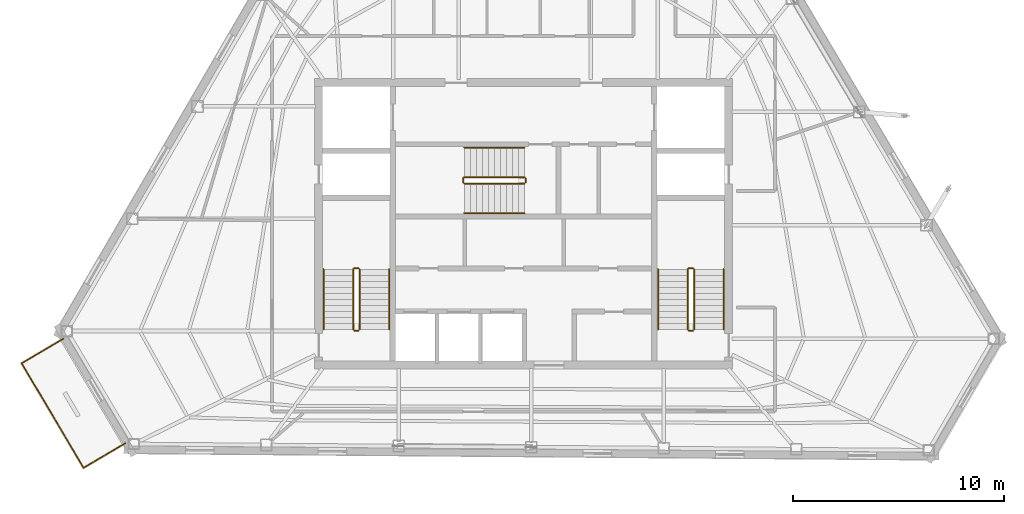
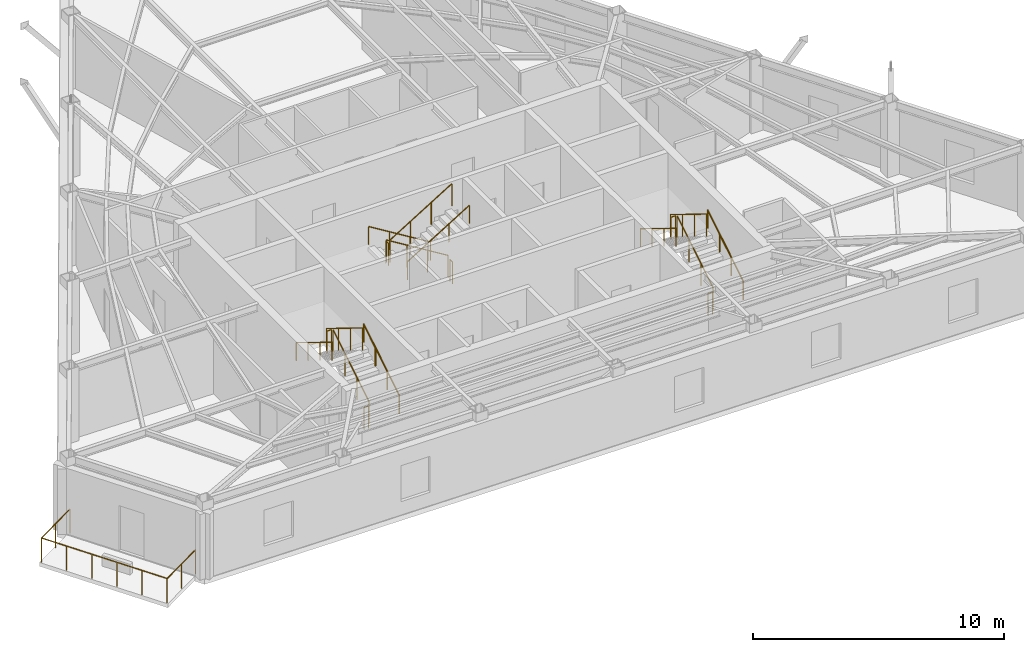
# One storey, part 10 of 10: 21 railings.
"""IFC4 building model written with IfcOpenShell, lengths in metres."""

from ifc_helpers import new_model, si_unit, direction, frame, origin, origin_2d, place, context, subcontext, project, spatial, circle, extrude, material, type_object, element, save


model = new_model("IFC4")

# Units and contexts
model_context = context("Model", 3, precision=1e-05, world=origin(), true_north=direction((0.0, 1.0)))
body_context = subcontext(model_context, "Body", "Model", "MODEL_VIEW")
ifc_project = project(units=[si_unit("LENGTHUNIT", "METRE"), si_unit("AREAUNIT", "SQUARE_METRE"), si_unit("VOLUMEUNIT", "CUBIC_METRE"), si_unit("PLANEANGLEUNIT", "RADIAN"), si_unit("MASSUNIT", "GRAM", prefix="KILO")], contexts=[model_context])

# Site, building, storey
site_placement = place(None, origin())
site = spatial("IfcSite", under=ifc_project, at=site_placement, CompositionType="ELEMENT")
building_placement = place(site_placement, origin())
building = spatial("IfcBuilding", under=site, at=building_placement, Name="Kavelnor Concourse Tower", CompositionType="ELEMENT")
storey_placement = place(building_placement, frame((0.0, 0.0, 266.449951171875)))
storey = spatial("IfcBuildingStorey", under=building, at=storey_placement, Name="L67", CompositionType="ELEMENT", Elevation=266.449951171875)

# Railings
ifc_material_1 = material(Name="Steel Grade 350", Category="steel")
railing_type_1 = type_object("IfcRailingType", Name="RLG-GUARD-1100", PredefinedType="GUARDRAIL", material=ifc_material_1)
railing_1_placement = place(storey_placement, frame((30.22998046875, 11.10009765625, 0.175048828125)))
element("IfcRailing", 1, at=railing_1_placement, inside=storey, type_object=railing_type_1, Name="L67 ST1 stair guard 1", PredefinedType="GUARDRAIL", context=body_context, shape_type="SweptSolid", body=[
    extrude(circle(Radius=0.02392578125, at=origin_2d()), frame((0.0, 0.0, 1.076171875), z_axis=(0.0, 0.852159232446, 0.523282564737), x_axis=(-1.0, 0.0, 0.0)), (0.0, 0.0, 1.0), 3.34423828125),
    extrude(circle(Radius=0.02099609375, at=origin_2d()), origin(), (0.0, 0.0, 1.0), 1.052001953125),
    extrude(circle(Radius=0.02099609375, at=origin_2d()), frame((0.0, 0.949951171875, 0.583251953125)), (0.0, 0.0, 1.0), 1.052001953125),
    extrude(circle(Radius=0.02099609375, at=origin_2d()), frame((0.0, 1.89990234375, 1.166748046875)), (0.0, 0.0, 1.0), 1.052001953125),
    extrude(circle(Radius=0.02099609375, at=origin_2d()), frame((0.0, 2.849853515625, 1.75)), (0.0, 0.0, 1.0), 1.052001953125),
])
railing_2_placement = place(storey_placement, frame((30.179931640625, 14.0, 1.925048828125)))
element("IfcRailing", 2, at=railing_2_placement, inside=storey, type_object=railing_type_1, Name="L67 ST1 stair guard 2", PredefinedType="GUARDRAIL", context=body_context, shape_type="SweptSolid", body=[
    extrude(circle(Radius=0.02392578125, at=origin_2d()), frame((0.0, 0.0, 1.076171875), z_axis=(-1.0, 0.0, 0.0), x_axis=(0.0, -1.0, 0.0)), (0.0, 0.0, 1.0), 0.199951171875),
    extrude(circle(Radius=0.02099609375, at=origin_2d()), origin(), (0.0, 0.0, 1.0), 1.052001953125),
    extrude(circle(Radius=0.02099609375, at=origin_2d()), frame((-0.199951171875, 0.0, 0.0)), (0.0, 0.0, 1.0), 1.052001953125),
])
railing_3_placement = place(storey_placement, frame((29.929931640625, 13.949951171875, 2.10009765625)))
element("IfcRailing", 3, at=railing_3_placement, inside=storey, type_object=railing_type_1, Name="L67 ST1 stair guard 3", PredefinedType="GUARDRAIL", context=body_context, shape_type="SweptSolid", body=[
    extrude(circle(Radius=0.02392578125, at=origin_2d()), frame((0.0, 0.0, 1.076171875), z_axis=(0.0, -0.852159232446, 0.523282564737), x_axis=(1.0, 0.0, 0.0)), (0.0, 0.0, 1.0), 3.34423828125),
    extrude(circle(Radius=0.02099609375, at=origin_2d()), origin(), (0.0, 0.0, 1.0), 1.052001953125),
    extrude(circle(Radius=0.02099609375, at=origin_2d()), frame((0.0, -0.949951171875, 0.583251953125)), (0.0, 0.0, 1.0), 1.052001953125),
    extrude(circle(Radius=0.02099609375, at=origin_2d()), frame((0.0, -1.89990234375, 1.166748046875)), (0.0, 0.0, 1.0), 1.052001953125),
    extrude(circle(Radius=0.02099609375, at=origin_2d()), frame((0.0, -2.849853515625, 1.75)), (0.0, 0.0, 1.0), 1.052001953125),
])
railing_4_placement = place(storey_placement, frame((30.179931640625, 11.050048828125, 0.0)))
element("IfcRailing", 4, at=railing_4_placement, inside=storey, type_object=railing_type_1, Name="L67 ST1 stair guard 4", PredefinedType="GUARDRAIL", context=body_context, shape_type="SweptSolid", body=[
    extrude(circle(Radius=0.02392578125, at=origin_2d()), frame((0.0, 0.0, 1.076171875), z_axis=(-1.0, 0.0, 0.0), x_axis=(0.0, -1.0, 0.0)), (0.0, 0.0, 1.0), 0.199951171875),
    extrude(circle(Radius=0.02099609375, at=origin_2d()), origin(), (0.0, 0.0, 1.0), 1.052001953125),
    extrude(circle(Radius=0.02099609375, at=origin_2d()), frame((-0.199951171875, 0.0, 0.0)), (0.0, 0.0, 1.0), 1.052001953125),
])
railing_5_placement = place(storey_placement, frame((46.070068359375, 11.10009765625, 0.175048828125)))
element("IfcRailing", 5, at=railing_5_placement, inside=storey, type_object=railing_type_1, Name="L67 ST2 stair guard 1", PredefinedType="GUARDRAIL", context=body_context, shape_type="SweptSolid", body=[
    extrude(circle(Radius=0.02392578125, at=origin_2d()), frame((0.0, 0.0, 1.076171875), z_axis=(0.0, 0.852159232446, 0.523282564737), x_axis=(-1.0, 0.0, 0.0)), (0.0, 0.0, 1.0), 3.34423828125),
    extrude(circle(Radius=0.02099609375, at=origin_2d()), origin(), (0.0, 0.0, 1.0), 1.052001953125),
    extrude(circle(Radius=0.02099609375, at=origin_2d()), frame((0.0, 0.949951171875, 0.583251953125)), (0.0, 0.0, 1.0), 1.052001953125),
    extrude(circle(Radius=0.02099609375, at=origin_2d()), frame((0.0, 1.89990234375, 1.166748046875)), (0.0, 0.0, 1.0), 1.052001953125),
    extrude(circle(Radius=0.02099609375, at=origin_2d()), frame((0.0, 2.849853515625, 1.75)), (0.0, 0.0, 1.0), 1.052001953125),
])
railing_6_placement = place(storey_placement, frame((46.02001953125, 14.0, 1.925048828125)))
element("IfcRailing", 6, at=railing_6_placement, inside=storey, type_object=railing_type_1, Name="L67 ST2 stair guard 2", PredefinedType="GUARDRAIL", context=body_context, shape_type="SweptSolid", body=[
    extrude(circle(Radius=0.02392578125, at=origin_2d()), frame((0.0, 0.0, 1.076171875), z_axis=(-1.0, 0.0, 0.0), x_axis=(0.0, -1.0, 0.0)), (0.0, 0.0, 1.0), 0.199951171875),
    extrude(circle(Radius=0.02099609375, at=origin_2d()), origin(), (0.0, 0.0, 1.0), 1.052001953125),
    extrude(circle(Radius=0.02099609375, at=origin_2d()), frame((-0.199951171875, 0.0, 0.0)), (0.0, 0.0, 1.0), 1.052001953125),
])
railing_7_placement = place(storey_placement, frame((45.77001953125, 13.949951171875, 2.10009765625)))
element("IfcRailing", 7, at=railing_7_placement, inside=storey, type_object=railing_type_1, Name="L67 ST2 stair guard 3", PredefinedType="GUARDRAIL", context=body_context, shape_type="SweptSolid", body=[
    extrude(circle(Radius=0.02392578125, at=origin_2d()), frame((0.0, 0.0, 1.076171875), z_axis=(0.0, -0.852159232446, 0.523282564737), x_axis=(1.0, 0.0, 0.0)), (0.0, 0.0, 1.0), 3.34423828125),
    extrude(circle(Radius=0.02099609375, at=origin_2d()), origin(), (0.0, 0.0, 1.0), 1.052001953125),
    extrude(circle(Radius=0.02099609375, at=origin_2d()), frame((0.0, -0.949951171875, 0.583251953125)), (0.0, 0.0, 1.0), 1.052001953125),
    extrude(circle(Radius=0.02099609375, at=origin_2d()), frame((0.0, -1.89990234375, 1.166748046875)), (0.0, 0.0, 1.0), 1.052001953125),
    extrude(circle(Radius=0.02099609375, at=origin_2d()), frame((0.0, -2.849853515625, 1.75)), (0.0, 0.0, 1.0), 1.052001953125),
])
railing_8_placement = place(storey_placement, frame((46.02001953125, 11.050048828125, 0.0)))
element("IfcRailing", 8, at=railing_8_placement, inside=storey, type_object=railing_type_1, Name="L67 ST2 stair guard 4", PredefinedType="GUARDRAIL", context=body_context, shape_type="SweptSolid", body=[
    extrude(circle(Radius=0.02392578125, at=origin_2d()), frame((0.0, 0.0, 1.076171875), z_axis=(-1.0, 0.0, 0.0), x_axis=(0.0, -1.0, 0.0)), (0.0, 0.0, 1.0), 0.199951171875),
    extrude(circle(Radius=0.02099609375, at=origin_2d()), origin(), (0.0, 0.0, 1.0), 1.052001953125),
    extrude(circle(Radius=0.02099609375, at=origin_2d()), frame((-0.199951171875, 0.0, 0.0)), (0.0, 0.0, 1.0), 1.052001953125),
])
railing_9_placement = place(storey_placement, frame((38.0400390625, 18.31005859375, 0.175048828125)))
element("IfcRailing", 9, at=railing_9_placement, inside=storey, type_object=railing_type_1, Name="L67 ST3 stair guard 1", PredefinedType="GUARDRAIL", context=body_context, shape_type="SweptSolid", body=[
    extrude(circle(Radius=0.02392578125, at=origin_2d()), frame((0.0, 0.0, 1.076171875), z_axis=(-0.852179220489, 0.0, 0.52325001306), x_axis=(0.0, -1.0, 0.0)), (0.0, 0.0, 1.0), 3.344482421875),
    extrude(circle(Radius=0.02099609375, at=origin_2d()), origin(), (0.0, 0.0, 1.0), 1.052001953125),
    extrude(circle(Radius=0.02099609375, at=origin_2d()), frame((-0.949951171875, 0.0, 0.583251953125)), (0.0, 0.0, 1.0), 1.052001953125),
    extrude(circle(Radius=0.02099609375, at=origin_2d()), frame((-1.900146484375, 0.0, 1.166748046875)), (0.0, 0.0, 1.0), 1.052001953125),
    extrude(circle(Radius=0.02099609375, at=origin_2d()), frame((-2.85009765625, 0.0, 1.75)), (0.0, 0.0, 1.0), 1.052001953125),
])
railing_10_placement = place(storey_placement, frame((35.139892578125, 18.260009765625, 1.925048828125)))
element("IfcRailing", 10, at=railing_10_placement, inside=storey, type_object=railing_type_1, Name="L67 ST3 stair guard 2", PredefinedType="GUARDRAIL", context=body_context, shape_type="SweptSolid", body=[
    extrude(circle(Radius=0.02392578125, at=origin_2d()), frame((0.0, 0.0, 1.076171875), z_axis=(0.0, -1.0, 0.0), x_axis=(1.0, 0.0, 0.0)), (0.0, 0.0, 1.0), 0.199951171875),
    extrude(circle(Radius=0.02099609375, at=origin_2d()), origin(), (0.0, 0.0, 1.0), 1.052001953125),
    extrude(circle(Radius=0.02099609375, at=origin_2d()), frame((0.0, -0.199951171875, 0.0)), (0.0, 0.0, 1.0), 1.052001953125),
])
railing_11_placement = place(storey_placement, frame((35.18994140625, 18.010009765625, 2.10009765625)))
element("IfcRailing", 11, at=railing_11_placement, inside=storey, type_object=railing_type_1, Name="L67 ST3 stair guard 3", PredefinedType="GUARDRAIL", context=body_context, shape_type="SweptSolid", body=[
    extrude(circle(Radius=0.02392578125, at=origin_2d()), frame((0.0, 0.0, 1.076171875), z_axis=(0.852179220489, 0.0, 0.52325001306), x_axis=(0.0, 1.0, 0.0)), (0.0, 0.0, 1.0), 3.344482421875),
    extrude(circle(Radius=0.02099609375, at=origin_2d()), origin(), (0.0, 0.0, 1.0), 1.052001953125),
    extrude(circle(Radius=0.02099609375, at=origin_2d()), frame((0.949951171875, 0.0, 0.583251953125)), (0.0, 0.0, 1.0), 1.052001953125),
    extrude(circle(Radius=0.02099609375, at=origin_2d()), frame((1.900146484375, 0.0, 1.166748046875)), (0.0, 0.0, 1.0), 1.052001953125),
    extrude(circle(Radius=0.02099609375, at=origin_2d()), frame((2.85009765625, 0.0, 1.75)), (0.0, 0.0, 1.0), 1.052001953125),
])
railing_12_placement = place(storey_placement, frame((38.090087890625, 18.260009765625, 0.0)))
element("IfcRailing", 12, at=railing_12_placement, inside=storey, type_object=railing_type_1, Name="L67 ST3 stair guard 4", PredefinedType="GUARDRAIL", context=body_context, shape_type="SweptSolid", body=[
    extrude(circle(Radius=0.02392578125, at=origin_2d()), frame((0.0, 0.0, 1.076171875), z_axis=(0.0, -1.0, 0.0), x_axis=(1.0, 0.0, 0.0)), (0.0, 0.0, 1.0), 0.199951171875),
    extrude(circle(Radius=0.02099609375, at=origin_2d()), origin(), (0.0, 0.0, 1.0), 1.052001953125),
    extrude(circle(Radius=0.02099609375, at=origin_2d()), frame((0.0, -0.199951171875, 0.0)), (0.0, 0.0, 1.0), 1.052001953125),
])
railing_type_2 = type_object("IfcRailingType", Name="RLG-HANDRAIL-900", PredefinedType="HANDRAIL", material=ifc_material_1)
railing_13_placement = place(storey_placement, frame((31.6298828125, 11.10009765625, 0.175048828125)))
element("IfcRailing", 13, at=railing_13_placement, inside=storey, type_object=railing_type_2, Name="L67 ST1 stair handrail 1", PredefinedType="HANDRAIL", context=body_context, shape_type="SweptSolid", body=[
    extrude(circle(Radius=0.02392578125, at=origin_2d()), frame((0.0, 0.0, 0.8759765625), z_axis=(0.0, 0.852159232446, 0.523282564737), x_axis=(-1.0, 0.0, 0.0)), (0.0, 0.0, 1.0), 3.34423828125),
    extrude(circle(Radius=0.02099609375, at=origin_2d()), origin(), (0.0, 0.0, 1.0), 0.851806640625),
    extrude(circle(Radius=0.02099609375, at=origin_2d()), frame((0.0, 0.949951171875, 0.583251953125)), (0.0, 0.0, 1.0), 0.851806640625),
    extrude(circle(Radius=0.02099609375, at=origin_2d()), frame((0.0, 1.89990234375, 1.166748046875)), (0.0, 0.0, 1.0), 0.851806640625),
    extrude(circle(Radius=0.02099609375, at=origin_2d()), frame((0.0, 2.849853515625, 1.75)), (0.0, 0.0, 1.0), 0.851806640625),
])
railing_14_placement = place(storey_placement, frame((28.530029296875, 13.949951171875, 2.10009765625)))
element("IfcRailing", 14, at=railing_14_placement, inside=storey, type_object=railing_type_2, Name="L67 ST1 stair handrail 2", PredefinedType="HANDRAIL", context=body_context, shape_type="SweptSolid", body=[
    extrude(circle(Radius=0.02392578125, at=origin_2d()), frame((0.0, 0.0, 0.8759765625), z_axis=(0.0, -0.852159232446, 0.523282564737), x_axis=(1.0, 0.0, 0.0)), (0.0, 0.0, 1.0), 3.34423828125),
    extrude(circle(Radius=0.02099609375, at=origin_2d()), origin(), (0.0, 0.0, 1.0), 0.851806640625),
    extrude(circle(Radius=0.02099609375, at=origin_2d()), frame((0.0, -0.949951171875, 0.583251953125)), (0.0, 0.0, 1.0), 0.851806640625),
    extrude(circle(Radius=0.02099609375, at=origin_2d()), frame((0.0, -1.89990234375, 1.166748046875)), (0.0, 0.0, 1.0), 0.851806640625),
    extrude(circle(Radius=0.02099609375, at=origin_2d()), frame((0.0, -2.849853515625, 1.75)), (0.0, 0.0, 1.0), 0.851806640625),
])
railing_15_placement = place(storey_placement, frame((47.469970703125, 11.10009765625, 0.175048828125)))
element("IfcRailing", 15, at=railing_15_placement, inside=storey, type_object=railing_type_2, Name="L67 ST2 stair handrail 1", PredefinedType="HANDRAIL", context=body_context, shape_type="SweptSolid", body=[
    extrude(circle(Radius=0.02392578125, at=origin_2d()), frame((0.0, 0.0, 0.8759765625), z_axis=(0.0, 0.852159232446, 0.523282564737), x_axis=(-1.0, 0.0, 0.0)), (0.0, 0.0, 1.0), 3.34423828125),
    extrude(circle(Radius=0.02099609375, at=origin_2d()), origin(), (0.0, 0.0, 1.0), 0.851806640625),
    extrude(circle(Radius=0.02099609375, at=origin_2d()), frame((0.0, 0.949951171875, 0.583251953125)), (0.0, 0.0, 1.0), 0.851806640625),
    extrude(circle(Radius=0.02099609375, at=origin_2d()), frame((0.0, 1.89990234375, 1.166748046875)), (0.0, 0.0, 1.0), 0.851806640625),
    extrude(circle(Radius=0.02099609375, at=origin_2d()), frame((0.0, 2.849853515625, 1.75)), (0.0, 0.0, 1.0), 0.851806640625),
])
railing_16_placement = place(storey_placement, frame((44.3701171875, 13.949951171875, 2.10009765625)))
element("IfcRailing", 16, at=railing_16_placement, inside=storey, type_object=railing_type_2, Name="L67 ST2 stair handrail 2", PredefinedType="HANDRAIL", context=body_context, shape_type="SweptSolid", body=[
    extrude(circle(Radius=0.02392578125, at=origin_2d()), frame((0.0, 0.0, 0.8759765625), z_axis=(0.0, -0.852159232446, 0.523282564737), x_axis=(1.0, 0.0, 0.0)), (0.0, 0.0, 1.0), 3.34423828125),
    extrude(circle(Radius=0.02099609375, at=origin_2d()), origin(), (0.0, 0.0, 1.0), 0.851806640625),
    extrude(circle(Radius=0.02099609375, at=origin_2d()), frame((0.0, -0.949951171875, 0.583251953125)), (0.0, 0.0, 1.0), 0.851806640625),
    extrude(circle(Radius=0.02099609375, at=origin_2d()), frame((0.0, -1.89990234375, 1.166748046875)), (0.0, 0.0, 1.0), 0.851806640625),
    extrude(circle(Radius=0.02099609375, at=origin_2d()), frame((0.0, -2.849853515625, 1.75)), (0.0, 0.0, 1.0), 0.851806640625),
])
railing_17_placement = place(storey_placement, frame((38.0400390625, 19.7099609375, 0.175048828125)))
element("IfcRailing", 17, at=railing_17_placement, inside=storey, type_object=railing_type_2, Name="L67 ST3 stair handrail 1", PredefinedType="HANDRAIL", context=body_context, shape_type="SweptSolid", body=[
    extrude(circle(Radius=0.02392578125, at=origin_2d()), frame((0.0, 0.0, 0.8759765625), z_axis=(-0.852179220489, 0.0, 0.52325001306), x_axis=(0.0, -1.0, 0.0)), (0.0, 0.0, 1.0), 3.344482421875),
    extrude(circle(Radius=0.02099609375, at=origin_2d()), origin(), (0.0, 0.0, 1.0), 0.851806640625),
    extrude(circle(Radius=0.02099609375, at=origin_2d()), frame((-0.949951171875, 0.0, 0.583251953125)), (0.0, 0.0, 1.0), 0.851806640625),
    extrude(circle(Radius=0.02099609375, at=origin_2d()), frame((-1.900146484375, 0.0, 1.166748046875)), (0.0, 0.0, 1.0), 0.851806640625),
    extrude(circle(Radius=0.02099609375, at=origin_2d()), frame((-2.85009765625, 0.0, 1.75)), (0.0, 0.0, 1.0), 0.851806640625),
])
railing_18_placement = place(storey_placement, frame((35.18994140625, 16.610107421875, 2.10009765625)))
element("IfcRailing", 18, at=railing_18_placement, inside=storey, type_object=railing_type_2, Name="L67 ST3 stair handrail 2", PredefinedType="HANDRAIL", context=body_context, shape_type="SweptSolid", body=[
    extrude(circle(Radius=0.02392578125, at=origin_2d()), frame((0.0, 0.0, 0.8759765625), z_axis=(0.852179220489, 0.0, 0.52325001306), x_axis=(0.0, 1.0, 0.0)), (0.0, 0.0, 1.0), 3.344482421875),
    extrude(circle(Radius=0.02099609375, at=origin_2d()), origin(), (0.0, 0.0, 1.0), 0.851806640625),
    extrude(circle(Radius=0.02099609375, at=origin_2d()), frame((0.949951171875, 0.0, 0.583251953125)), (0.0, 0.0, 1.0), 0.851806640625),
    extrude(circle(Radius=0.02099609375, at=origin_2d()), frame((1.900146484375, 0.0, 1.166748046875)), (0.0, 0.0, 1.0), 0.851806640625),
    extrude(circle(Radius=0.02099609375, at=origin_2d()), frame((2.85009765625, 0.0, 1.75)), (0.0, 0.0, 1.0), 0.851806640625),
])
ifc_material_2 = material(Name="Architectural bronze-anodised aluminium", Category="aluminium")
railing_type_3 = type_object("IfcRailingType", Name="RLG-TERRACE-1200", PredefinedType="BALUSTRADE", material=ifc_material_2)
railing_19_placement = place(storey_placement, frame((16.210205078125, 10.666259765625, 0.0)))
element("IfcRailing", 19, at=railing_19_placement, inside=storey, type_object=railing_type_3, Name="L67 Spiral Terrace Guardrail L", PredefinedType="BALUSTRADE", context=body_context, shape_type="SweptSolid", body=[
    extrude(circle(Radius=0.02392578125, at=origin_2d()), frame((0.0, 0.0, 1.17578125), z_axis=(-0.86045701861, -0.509523031005, 0.0), x_axis=(0.509523031005, -0.86045701861, 0.0)), (0.0, 0.0, 1.0), 2.300048828125),
    extrude(circle(Radius=0.02099609375, at=origin_2d()), origin(), (0.0, 0.0, 1.0), 1.15185546875),
    extrude(circle(Radius=0.02099609375, at=origin_2d()), frame((-0.989501953125, -0.5859375, 0.0)), (0.0, 0.0, 1.0), 1.15185546875),
    extrude(circle(Radius=0.02099609375, at=origin_2d()), frame((-1.97900390625, -1.171875, 0.0)), (0.0, 0.0, 1.0), 1.15185546875),
])
railing_20_placement = place(storey_placement, frame((14.231201171875, 9.494384765625, 0.0)))
element("IfcRailing", 20, at=railing_20_placement, inside=storey, type_object=railing_type_3, Name="L67 Spiral Terrace Guardrail F", PredefinedType="BALUSTRADE", context=body_context, shape_type="SweptSolid", body=[
    extrude(circle(Radius=0.02392578125, at=origin_2d()), frame((0.0, 0.0, 1.17578125), z_axis=(0.509471732359, -0.860487393241, 0.0), x_axis=(0.860487393241, 0.509471732359, 0.0)), (0.0, 0.0, 1.0), 5.74853515625),
    extrude(circle(Radius=0.02099609375, at=origin_2d()), origin(), (0.0, 0.0, 1.0), 1.15185546875),
    extrude(circle(Radius=0.02099609375, at=origin_2d()), frame((0.585693359375, -0.9892578125, 0.0)), (0.0, 0.0, 1.0), 1.15185546875),
    extrude(circle(Radius=0.02099609375, at=origin_2d()), frame((1.17138671875, -1.978515625, 0.0)), (0.0, 0.0, 1.0), 1.15185546875),
    extrude(circle(Radius=0.02099609375, at=origin_2d()), frame((1.75732421875, -2.968017578125, 0.0)), (0.0, 0.0, 1.0), 1.15185546875),
    extrude(circle(Radius=0.02099609375, at=origin_2d()), frame((2.343017578125, -3.957275390625, 0.0)), (0.0, 0.0, 1.0), 1.15185546875),
    extrude(circle(Radius=0.02099609375, at=origin_2d()), frame((2.9287109375, -4.946533203125, 0.0)), (0.0, 0.0, 1.0), 1.15185546875),
])
railing_21_placement = place(storey_placement, frame((17.159912109375, 4.5478515625, 0.0)))
element("IfcRailing", 21, at=railing_21_placement, inside=storey, type_object=railing_type_3, Name="L67 Spiral Terrace Guardrail R", PredefinedType="BALUSTRADE", context=body_context, shape_type="SweptSolid", body=[
    extrude(circle(Radius=0.02392578125, at=origin_2d()), frame((0.0, 0.0, 1.17578125), z_axis=(0.860503556381, 0.509444432158, 0.0), x_axis=(-0.509444432158, 0.860503556381, 0.0)), (0.0, 0.0, 1.0), 2.2998046875),
    extrude(circle(Radius=0.02099609375, at=origin_2d()), origin(), (0.0, 0.0, 1.0), 1.15185546875),
    extrude(circle(Radius=0.02099609375, at=origin_2d()), frame((0.989501953125, 0.5859375, 0.0)), (0.0, 0.0, 1.0), 1.15185546875),
    extrude(circle(Radius=0.02099609375, at=origin_2d()), frame((1.97900390625, 1.171630859375, 0.0)), (0.0, 0.0, 1.0), 1.15185546875),
])

save(model, "model.ifc")
